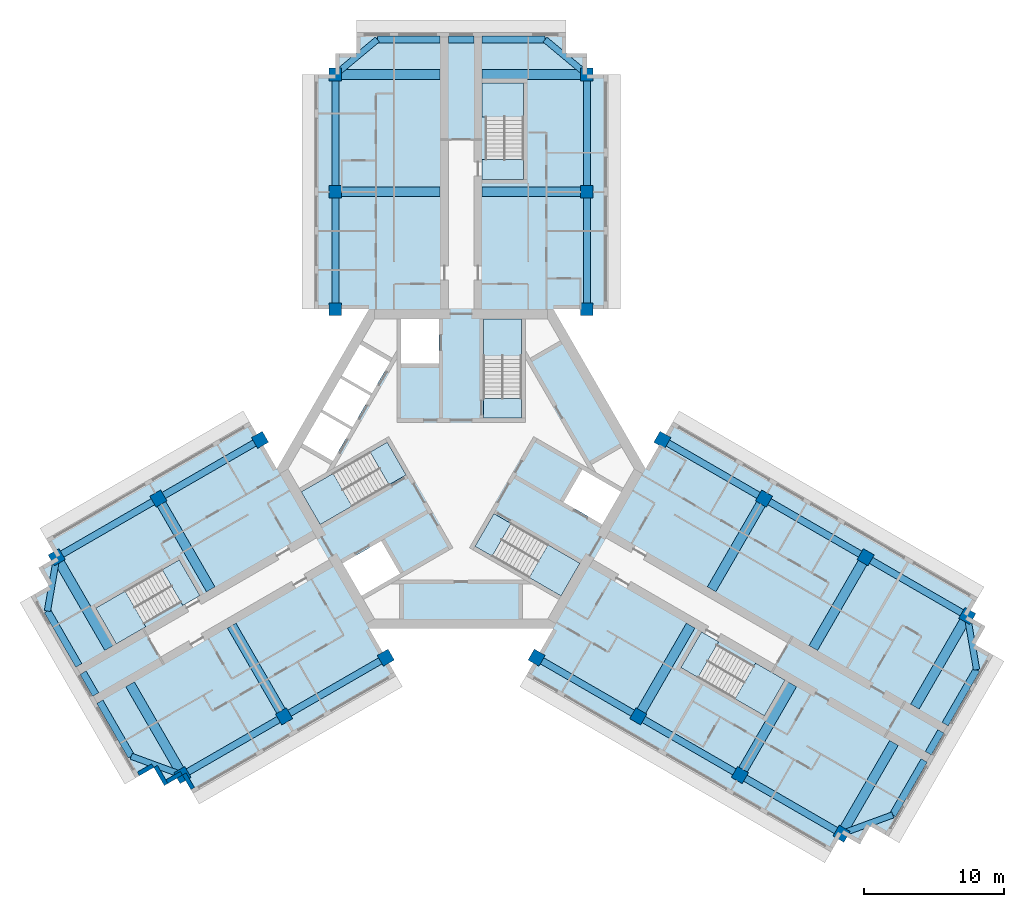
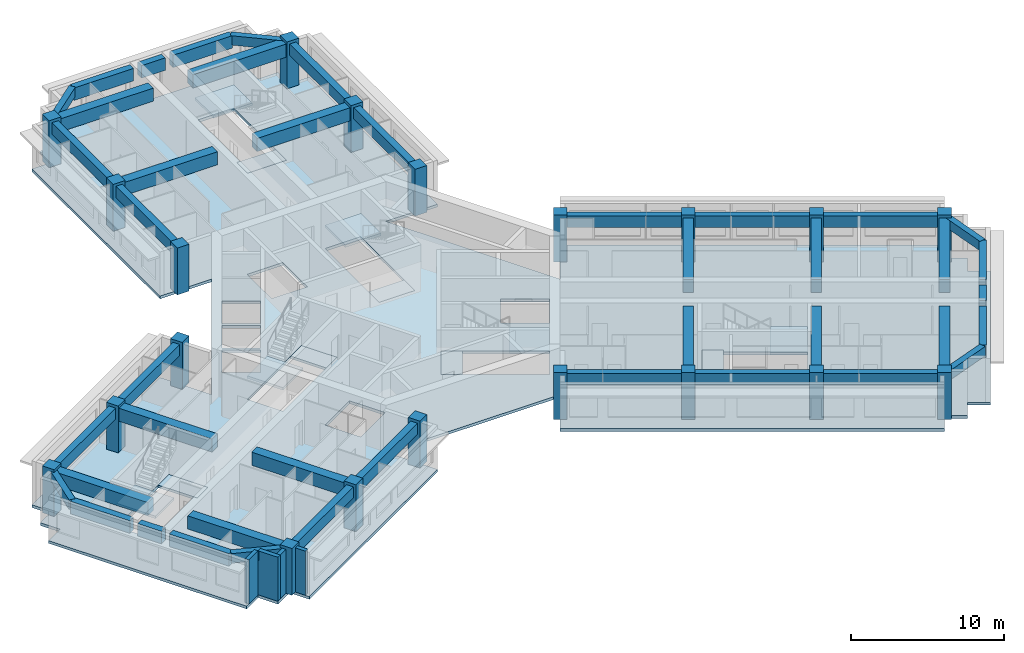
# One storey, part 1 of 10: 43 beams, 20 columns, 13 slabs, 4 walls, 6 elements without a shape of their own.
"""IFC4 building model written with IfcOpenShell, lengths in metres."""

from ifc_helpers import new_model, si_unit, direction, frame, frame_2d, origin, origin_2d, place, context, subcontext, project, spatial, polyline, rectangle, outline, extrude, material, layer, layer_set, material_profile, profile_set, type_object, element, aggregate, save


model = new_model("IFC4")

# Units and contexts
model_context = context("Model", 3, precision=1e-05, world=origin(), true_north=direction((0.0, 1.0)))
body_context = subcontext(model_context, "Body", "Model", "MODEL_VIEW")
ifc_project = project(units=[si_unit("LENGTHUNIT", "METRE"), si_unit("AREAUNIT", "SQUARE_METRE"), si_unit("VOLUMEUNIT", "CUBIC_METRE"), si_unit("PLANEANGLEUNIT", "RADIAN"), si_unit("MASSUNIT", "GRAM", prefix="KILO")], contexts=[model_context])

# Site, building, storey
site_placement = place(None, origin())
site = spatial("IfcSite", under=ifc_project, at=site_placement, CompositionType="ELEMENT")
building_placement = place(site_placement, origin())
building = spatial("IfcBuilding", under=site, at=building_placement, Name="Impinga Residences", CompositionType="ELEMENT")
storey_placement = place(building_placement, frame((0.0, 0.0, 233.5)))
storey = spatial("IfcBuildingStorey", under=building, at=storey_placement, Name="L58", CompositionType="ELEMENT", Elevation=233.5)

# Columns
ifc_material_1 = material(Name="Concrete C60/75", Category="concrete")
ifc_material_profile_1 = material_profile(ifc_material_1, rectangle(XDim=0.89990234375, YDim=0.89990234375, at=origin_2d()), Name="RC 900x900")
ifc_profile_set_1 = profile_set([ifc_material_profile_1], Name="Concrete C60/75")
column_type = type_object("IfcColumnType", Name="C4 900x900 column", PredefinedType="COLUMN", material=ifc_profile_set_1)
for number, where, z_axis, x_axis, name in (
    (1, (-9.0, 11.431640625, 0.0), (0.0, 0.0, 1.0), (1.0, 0.0, 0.0), "Column C4 N1/NA L58"),
    (2, (9.0, 11.431640625, 0.0), (0.0, 0.0, 1.0), (1.0, 0.0, 0.0), "Column C4 N1/NF L58"),
    (3, (-9.0, 19.83154296875, 0.0), (0.0, 0.0, 1.0), (1.0, 0.0, 0.0), "Column C4 N2/NA L58"),
    (4, (9.0, 19.83154296875, 0.0), (0.0, 0.0, 1.0), (1.0, 0.0, 0.0), "Column C4 N2/NF L58"),
    (5, (-9.0, 28.2314453125, 0.0), (0.0, 0.0, 1.0), (1.0, 0.0, 0.0), "Column C4 N3/NA L58"),
    (6, (9.0, 28.2314453125, 0.0), (0.0, 0.0, 1.0), (1.0, 0.0, 0.0), "Column C4 N3/NF L58"),
    (7, (-5.39990234375, -13.510009765625, 0.0), (0.0, 0.0, 1.0), (-0.5, 0.866025403784, 0.0), "Column C4 W1/WA L58"),
    (8, (-14.39990234375, 2.078369140625, 0.0), (0.0, 0.0, 1.0), (-0.5, 0.866025403784, 0.0), "Column C4 W1/WF L58"),
    (9, (-12.674560546875, -17.7099609375, 0.0), (0.0, 0.0, 1.0), (-0.5, 0.866025403784, 0.0), "Column C4 W2/WA L58"),
    (10, (-21.674560546875, -2.12158203125, 0.0), (0.0, 0.0, 1.0), (-0.5, 0.866025403784, 0.0), "Column C4 W2/WF L58"),
    (11, (-19.94921875, -21.909912109375, 0.0), (0.0, 0.0, 1.0), (-0.5, 0.866025403784, 0.0), "Column C4 W3/WA L58"),
    (12, (-28.94921875, -6.321533203125, 0.0), (0.0, 0.0, 1.0), (-0.5, 0.866025403784, 0.0), "Column C4 W3/WF L58"),
    (13, (14.39990234375, 2.078369140625, 0.0), (0.0, 0.0, 1.0), (-0.5, -0.866025403784, 0.0), "Column C4 E1/EA L58"),
    (14, (5.39990234375, -13.510009765625, 0.0), (0.0, 0.0, 1.0), (-0.5, -0.866025403784, 0.0), "Column C4 E1/EF L58"),
    (15, (21.674560546875, -2.12158203125, 0.0), (0.0, 0.0, 1.0), (-0.5, -0.866025403784, 0.0), "Column C4 E2/EA L58"),
    (16, (12.674560546875, -17.7099609375, 0.0), (0.0, 0.0, 1.0), (-0.5, -0.866025403784, 0.0), "Column C4 E2/EF L58"),
    (17, (28.94921875, -6.321533203125, 0.0), (0.0, 0.0, 1.0), (-0.5, -0.866025403784, 0.0), "Column C4 E3/EA L58"),
    (18, (19.94921875, -21.909912109375, 0.0), (0.0, 0.0, 1.0), (-0.5, -0.866025403784, 0.0), "Column C4 E3/EF L58"),
    (19, (36.223876953125, -10.521484375, 0.0), (0.0, 0.0, 1.0), (-0.5, -0.866025403784, 0.0), "Column C4 E4/EA L58"),
    (20, (27.223876953125, -26.110107421875, 0.0), (0.0, 0.0, 1.0), (-0.5, -0.866025403784, 0.0), "Column C4 E4/EF L58"),
):
    element("IfcColumn", number, at=place(storey_placement, frame(where, z_axis=z_axis, x_axis=x_axis)), inside=storey, type_object=column_type, Name=name, PredefinedType="COLUMN", context=body_context, shape_type="SweptSolid", body=[
        extrude(rectangle(XDim=0.89990234375, YDim=0.89990234375, at=origin_2d()), origin(), (0.0, 0.0, 1.0), 3.75),
    ])

# Beams
ifc_material_profile_2 = material_profile(ifc_material_1, rectangle(XDim=0.449951171875, YDim=0.75, at=origin_2d()), Name="RC 450x750")
ifc_profile_set_2 = profile_set([ifc_material_profile_2], Name="Concrete C60/75")
beam_type_1 = type_object("IfcBeamType", Name="CB1 450x750 wing end cantilever beam", PredefinedType="BEAM", material=ifc_profile_set_2)
for number, where, z_axis, x_axis, name in (
    (21, (-9.0, 28.2314453125, 3.155029296875), (0.768221279597, 0.640184399664, 0.0), (-0.640184399664, 0.768221279597, 0.0), "Beam CB1 NB N3-NX level L59"),
    (22, (9.0, 28.2314453125, 3.155029296875), (-0.768221279597, 0.640184399664, 0.0), (-0.640184399664, -0.768221279597, 0.0), "Beam CB1 NE N3-NX level L59"),
    (23, (-19.94921875, -21.909912109375, 3.155029296875), (-0.93854043338, 0.345169313396, 0.0), (-0.345169313396, -0.93854043338, 0.0), "Beam CB1 WB W3-WX level L59"),
):
    element("IfcBeam", number, at=place(storey_placement, frame(where, z_axis=z_axis, x_axis=x_axis)), inside=storey, type_object=beam_type_1, Name=name, PredefinedType="BEAM", context=body_context, shape_type="SweptSolid", body=[
        extrude(rectangle(XDim=0.449951171875, YDim=0.75, at=origin_2d()), origin(), (0.0, 0.0, 1.0), 3.905029296875),
    ])
for number, where, z_axis, x_axis, name in (
    (24, (-28.94921875, -6.321533203125, 3.155029296875), (-0.170296298948, -0.985392901621, 0.0), (0.985392901621, -0.170296298948, 0.0), "Beam CB1 WE W3-WX level L59"),
    (25, (36.223876953125, -10.521484375, 3.155029296875), (0.170296298948, -0.985392901621, 0.0), (0.985392901621, 0.170296298948, 0.0), "Beam CB1 EB E4-EX level L59"),
):
    element("IfcBeam", number, at=place(storey_placement, frame(where, z_axis=z_axis, x_axis=x_axis)), inside=storey, type_object=beam_type_1, Name=name, PredefinedType="BEAM", context=body_context, shape_type="SweptSolid", body=[
        extrude(rectangle(XDim=0.449951171875, YDim=0.75, at=origin_2d()), origin(), (0.0, 0.0, 1.0), 3.9052734375),
    ])
beam_1_placement = place(storey_placement, frame((27.223876953125, -26.110107421875, 3.155029296875), z_axis=(0.938520178725, 0.345224382289, 0.0), x_axis=(-0.345224382289, 0.938520178725, 0.0)))
element("IfcBeam", 26, at=beam_1_placement, inside=storey, type_object=beam_type_1, Name="Beam CB1 EE E4-EX level L59", PredefinedType="BEAM", context=body_context, shape_type="SweptSolid", body=[
    extrude(rectangle(XDim=0.449951171875, YDim=0.75, at=origin_2d()), origin(), (0.0, 0.0, 1.0), 3.905029296875),
])
ifc_material_profile_3 = material_profile(ifc_material_1, rectangle(XDim=0.699951171875, YDim=1.050048828125, at=origin_2d()), Name="RC 700x1050")
ifc_profile_set_3 = profile_set([ifc_material_profile_3], Name="Concrete C60/75")
beam_type_2 = type_object("IfcBeamType", Name="CG1 700x1050 cross girder on a wing bay line", PredefinedType="BEAM", material=ifc_profile_set_3)
for number, where, z_axis, x_axis, name in (
    (27, (-1.5, 19.83154296875, 3.0048828125), (-1.0, 0.0, 0.0), (0.0, -1.0, 0.0), "Beam CG1 N2 NC/NA level L59"),
    (28, (-1.5, 28.2314453125, 3.0048828125), (-1.0, 0.0, 0.0), (0.0, -1.0, 0.0), "Beam CG1 N3 NC/NA level L59"),
    (29, (1.5, 19.83154296875, 3.0048828125), (1.0, 0.0, 0.0), (0.0, 1.0, 0.0), "Beam CG1 N2 NC/NF level L59"),
    (30, (1.5, 28.2314453125, 3.0048828125), (1.0, 0.0, 0.0), (0.0, 1.0, 0.0), "Beam CG1 N3 NC/NF level L59"),
    (31, (-16.424560546875, -11.21484375, 3.0048828125), (0.500004234368, -0.866022959057, 0.0), (0.866022959057, 0.500004234368, 0.0), "Beam CG1 W2 WC/WA level L59"),
    (32, (-23.69921875, -15.414794921875, 3.0048828125), (0.500004234368, -0.866022959057, 0.0), (0.866022959057, 0.500004234368, 0.0), "Beam CG1 W3 WC/WA level L59"),
    (33, (-17.924560546875, -8.61669921875, 3.0048828125), (-0.500004234368, 0.866022959057, 0.0), (-0.866022959057, -0.500004234368, 0.0), "Beam CG1 W2 WC/WF level L59"),
    (34, (-25.19921875, -12.816650390625, 3.0048828125), (-0.500004234368, 0.866022959057, 0.0), (-0.866022959057, -0.500004234368, 0.0), "Beam CG1 W3 WC/WF level L59"),
    (35, (17.924560546875, -8.61669921875, 3.0048828125), (0.500004234368, 0.866022959057, 0.0), (-0.866022959057, 0.500004234368, 0.0), "Beam CG1 E2 EC/EA level L59"),
    (36, (25.19921875, -12.816650390625, 3.0048828125), (0.500004234368, 0.866022959057, 0.0), (-0.866022959057, 0.500004234368, 0.0), "Beam CG1 E3 EC/EA level L59"),
):
    element("IfcBeam", number, at=place(storey_placement, frame(where, z_axis=z_axis, x_axis=x_axis)), inside=storey, type_object=beam_type_2, Name=name, PredefinedType="BEAM", context=body_context, shape_type="SweptSolid", body=[
        extrude(rectangle(XDim=0.699951171875, YDim=1.050048828125, at=origin_2d()), origin(), (0.0, 0.0, 1.0), 7.5),
    ])
beam_2_placement = place(storey_placement, frame((32.473876953125, -17.016845703125, 3.0048828125), z_axis=(0.499990139034, 0.866031096941, 0.0), x_axis=(-0.866031096941, 0.499990139034, 0.0)))
element("IfcBeam", 37, at=beam_2_placement, inside=storey, type_object=beam_type_2, Name="Beam CG1 E4 EC/EA level L59", PredefinedType="BEAM", context=body_context, shape_type="SweptSolid", body=[
    extrude(rectangle(XDim=0.699951171875, YDim=1.050048828125, at=origin_2d()), origin(), (0.0, 0.0, 1.0), 7.500244140625),
])
for number, where, z_axis, x_axis, name in (
    (38, (16.424560546875, -11.21484375, 3.0048828125), (-0.500004234368, -0.866022959057, 0.0), (0.866022959057, -0.500004234368, 0.0), "Beam CG1 E2 EC/EF level L59"),
    (39, (23.69921875, -15.414794921875, 3.0048828125), (-0.500004234368, -0.866022959057, 0.0), (0.866022959057, -0.500004234368, 0.0), "Beam CG1 E3 EC/EF level L59"),
):
    element("IfcBeam", number, at=place(storey_placement, frame(where, z_axis=z_axis, x_axis=x_axis)), inside=storey, type_object=beam_type_2, Name=name, PredefinedType="BEAM", context=body_context, shape_type="SweptSolid", body=[
        extrude(rectangle(XDim=0.699951171875, YDim=1.050048828125, at=origin_2d()), origin(), (0.0, 0.0, 1.0), 7.5),
    ])
beam_3_placement = place(storey_placement, frame((30.973876953125, -19.61474609375, 3.0048828125), z_axis=(-0.499990139034, -0.866031096941, 0.0), x_axis=(0.866031096941, -0.499990139034, 0.0)))
element("IfcBeam", 40, at=beam_3_placement, inside=storey, type_object=beam_type_2, Name="Beam CG1 E4 EC/EF level L59", PredefinedType="BEAM", context=body_context, shape_type="SweptSolid", body=[
    extrude(rectangle(XDim=0.699951171875, YDim=1.050048828125, at=origin_2d()), origin(), (0.0, 0.0, 1.0), 7.500244140625),
])
ifc_material_profile_4 = material_profile(ifc_material_1, rectangle(XDim=0.5, YDim=1.0, at=origin_2d()), Name="RC 500x1000")
ifc_profile_set_4 = profile_set([ifc_material_profile_4], Name="Concrete C60/75")
beam_type_3 = type_object("IfcBeamType", Name="EB1 500x1000 wing end beam", PredefinedType="BEAM", material=ifc_profile_set_4)
beam_4_placement = place(storey_placement, frame((-6.0, 30.7314453125, 3.030029296875), z_axis=(1.0, 0.0, 0.0), x_axis=(0.0, 1.0, 0.0)))
element("IfcBeam", 41, at=beam_4_placement, inside=storey, type_object=beam_type_3, Name="Beam EB1 NX2 level L59", PredefinedType="BEAM", context=body_context, shape_type="SweptSolid", body=[
    extrude(rectangle(XDim=0.5, YDim=1.0, at=origin_2d()), origin(), (0.0, 0.0, 1.0), 4.5),
])
beam_5_placement = place(storey_placement, frame((-0.89990234375, 30.7314453125, 3.030029296875), z_axis=(1.0, 0.0, 0.0), x_axis=(0.0, 1.0, 0.0)))
element("IfcBeam", 42, at=beam_5_placement, inside=storey, type_object=beam_type_3, Name="Beam EB1 NX2 level L59", PredefinedType="BEAM", context=body_context, shape_type="SweptSolid", body=[
    extrude(rectangle(XDim=0.5, YDim=1.0, at=origin_2d()), origin(), (0.0, 0.0, 1.0), 1.7998046875),
])
for number, where, z_axis, x_axis, name in (
    (43, (1.5, 30.7314453125, 3.030029296875), (1.0, 0.0, 0.0), (0.0, 1.0, 0.0), "Beam EB1 NX2 level L59"),
    (44, (-23.6142578125, -20.56201171875, 3.030029296875), (-0.499990139034, 0.866031096941, 0.0), (-0.866031096941, -0.499990139034, 0.0), "Beam EB1 WX2 level L59"),
):
    element("IfcBeam", number, at=place(storey_placement, frame(where, z_axis=z_axis, x_axis=x_axis)), inside=storey, type_object=beam_type_3, Name=name, PredefinedType="BEAM", context=body_context, shape_type="SweptSolid", body=[
        extrude(rectangle(XDim=0.5, YDim=1.0, at=origin_2d()), origin(), (0.0, 0.0, 1.0), 4.5),
    ])
beam_6_placement = place(storey_placement, frame((-26.164306640625, -16.145263671875, 3.030029296875), z_axis=(-0.499961193289, 0.866047807691, 0.0), x_axis=(-0.866047807691, -0.499961193289, 0.0)))
element("IfcBeam", 45, at=beam_6_placement, inside=storey, type_object=beam_type_3, Name="Beam EB1 WX2 level L59", PredefinedType="BEAM", context=body_context, shape_type="SweptSolid", body=[
    extrude(rectangle(XDim=0.5, YDim=1.0, at=origin_2d()), origin(), (0.0, 0.0, 1.0), 1.800048828125),
])
beam_7_placement = place(storey_placement, frame((-27.3642578125, -14.066650390625, 3.030029296875), z_axis=(-0.500013631625, 0.866017533419, 0.0), x_axis=(-0.866017533419, -0.500013631625, 0.0)))
element("IfcBeam", 46, at=beam_7_placement, inside=storey, type_object=beam_type_3, Name="Beam EB1 WX2 level L59", PredefinedType="BEAM", context=body_context, shape_type="SweptSolid", body=[
    extrude(rectangle(XDim=0.5, YDim=1.0, at=origin_2d()), origin(), (0.0, 0.0, 1.0), 4.499755859375),
])
beam_8_placement = place(storey_placement, frame((36.888916015625, -14.36962890625, 3.030029296875), z_axis=(-0.499990139034, -0.866031096941, 0.0), x_axis=(0.866031096941, -0.499990139034, 0.0)))
element("IfcBeam", 47, at=beam_8_placement, inside=storey, type_object=beam_type_3, Name="Beam EB1 EX3 level L59", PredefinedType="BEAM", context=body_context, shape_type="SweptSolid", body=[
    extrude(rectangle(XDim=0.5, YDim=1.0, at=origin_2d()), origin(), (0.0, 0.0, 1.0), 4.5),
])
beam_9_placement = place(storey_placement, frame((34.3388671875, -18.786376953125, 3.030029296875), z_axis=(-0.499961193289, -0.866047807691, 0.0), x_axis=(0.866047807691, -0.499961193289, 0.0)))
element("IfcBeam", 48, at=beam_9_placement, inside=storey, type_object=beam_type_3, Name="Beam EB1 EX3 level L59", PredefinedType="BEAM", context=body_context, shape_type="SweptSolid", body=[
    extrude(rectangle(XDim=0.5, YDim=1.0, at=origin_2d()), origin(), (0.0, 0.0, 1.0), 1.800048828125),
])
beam_10_placement = place(storey_placement, frame((33.138916015625, -20.86474609375, 3.030029296875), z_axis=(-0.499990139034, -0.866031096941, 0.0), x_axis=(0.866031096941, -0.499990139034, 0.0)))
element("IfcBeam", 49, at=beam_10_placement, inside=storey, type_object=beam_type_3, Name="Beam EB1 EX3 level L59", PredefinedType="BEAM", context=body_context, shape_type="SweptSolid", body=[
    extrude(rectangle(XDim=0.5, YDim=1.0, at=origin_2d()), origin(), (0.0, 0.0, 1.0), 4.5),
])
ifc_material_profile_5 = material_profile(ifc_material_1, rectangle(XDim=0.5, YDim=0.89990234375, at=origin_2d()), Name="RC 500x900")
ifc_profile_set_5 = profile_set([ifc_material_profile_5], Name="Concrete C60/75")
beam_type_4 = type_object("IfcBeamType", Name="SB1 500x900 perimeter spandrel beam", PredefinedType="SPANDREL", material=ifc_profile_set_5)
for number, where, z_axis, x_axis, name in (
    (50, (-9.0, 11.431640625, 3.080078125), (0.0, 1.0, 0.0), (-1.0, 0.0, 0.0), "Beam SB1 NA N1-N2 level L59"),
    (51, (-9.0, 19.83154296875, 3.080078125), (0.0, 1.0, 0.0), (-1.0, 0.0, 0.0), "Beam SB1 NA N2-N3 level L59"),
    (52, (9.0, 11.431640625, 3.080078125), (0.0, 1.0, 0.0), (-1.0, 0.0, 0.0), "Beam SB1 NF N1-N2 level L59"),
    (53, (9.0, 19.83154296875, 3.080078125), (0.0, 1.0, 0.0), (-1.0, 0.0, 0.0), "Beam SB1 NF N2-N3 level L59"),
    (54, (-5.39990234375, -13.510009765625, 3.080078125), (-0.86602925447, -0.499993330357, 0.0), (0.499993330357, -0.86602925447, 0.0), "Beam SB1 WA W1-W2 level L59"),
    (55, (-12.674560546875, -17.7099609375, 3.080078125), (-0.86602925447, -0.499993330357, 0.0), (0.499993330357, -0.86602925447, 0.0), "Beam SB1 WA W2-W3 level L59"),
    (56, (-14.39990234375, 2.078369140625, 3.080078125), (-0.86602925447, -0.499993330357, 0.0), (0.499993330357, -0.86602925447, 0.0), "Beam SB1 WF W1-W2 level L59"),
    (57, (-21.674560546875, -2.12158203125, 3.080078125), (-0.86602925447, -0.499993330357, 0.0), (0.499993330357, -0.86602925447, 0.0), "Beam SB1 WF W2-W3 level L59"),
    (58, (14.39990234375, 2.078369140625, 3.080078125), (0.86602925447, -0.499993330357, 0.0), (0.499993330357, 0.86602925447, 0.0), "Beam SB1 EA E1-E2 level L59"),
    (59, (21.674560546875, -2.12158203125, 3.080078125), (0.86602925447, -0.499993330357, 0.0), (0.499993330357, 0.86602925447, 0.0), "Beam SB1 EA E2-E3 level L59"),
    (60, (28.94921875, -6.321533203125, 3.080078125), (0.86602925447, -0.499993330357, 0.0), (0.499993330357, 0.86602925447, 0.0), "Beam SB1 EA E3-E4 level L59"),
    (61, (5.39990234375, -13.510009765625, 3.080078125), (0.86602925447, -0.499993330357, 0.0), (0.499993330357, 0.86602925447, 0.0), "Beam SB1 EF E1-E2 level L59"),
    (62, (12.674560546875, -17.7099609375, 3.080078125), (0.86602925447, -0.499993330357, 0.0), (0.499993330357, 0.86602925447, 0.0), "Beam SB1 EF E2-E3 level L59"),
):
    element("IfcBeam", number, at=place(storey_placement, frame(where, z_axis=z_axis, x_axis=x_axis)), inside=storey, type_object=beam_type_4, Name=name, PredefinedType="SPANDREL", context=body_context, shape_type="SweptSolid", body=[
        extrude(rectangle(XDim=0.5, YDim=0.89990234375, at=origin_2d()), origin(), (0.0, 0.0, 1.0), 8.39990234375),
    ])
beam_11_placement = place(storey_placement, frame((19.94921875, -21.909912109375, 3.080078125), z_axis=(0.866016669275, -0.500015128309, 0.0), x_axis=(0.500015128309, 0.866016669275, 0.0)))
element("IfcBeam", 63, at=beam_11_placement, inside=storey, type_object=beam_type_4, Name="Beam SB1 EF E3-E4 level L59", PredefinedType="SPANDREL", context=body_context, shape_type="SweptSolid", body=[
    extrude(rectangle(XDim=0.5, YDim=0.89990234375, at=origin_2d()), origin(), (0.0, 0.0, 1.0), 8.400146484375),
])

# Slab
ifc_layer_1 = layer(ifc_material_1, 0.219970703125)
ifc_layer_set_1 = layer_set([ifc_layer_1], Name="Concrete C60/75")
slab_type_1 = type_object("IfcSlabType", Name="FS1 tower floor slab 220", PredefinedType="FLOOR", material=ifc_layer_set_1)
slab_1_placement = place(storey_placement, frame((0.0, 0.0, -0.219970703125)))
element("IfcSlab", 64, at=slab_1_placement, inside=storey, type_object=slab_type_1, Name="Floor slab FS1 L58", PredefinedType="FLOOR", context=body_context, shape_type="SweptSolid", body=[
    extrude(outline(polyline([(36.223876953125, -10.521484375), (37.52294921875, -11.271484375), (36.77294921875, -12.570556640625), (38.072021484375, -13.320556640625), (30.572021484375, -26.31103515625), (29.27294921875, -25.56103515625), (28.52294921875, -26.860107421875), (27.223876953125, -26.110107421875), (26.473876953125, -27.408935546875), (4.64990234375, -14.80908203125), (9.900146484375, -5.7158203125), (6.60009765625, -11.431640625), (-6.60009765625, -11.431640625), (-9.900146484375, -5.7158203125), (-4.64990234375, -14.80908203125), (-19.19921875, -23.208984375), (-19.94921875, -21.909912109375), (-21.248291015625, -22.659912109375), (-21.998291015625, -21.36083984375), (-23.29736328125, -22.11083984375), (-30.79736328125, -9.12060546875), (-29.498291015625, -8.37060546875), (-30.248291015625, -7.071533203125), (-28.94921875, -6.321533203125), (-29.69921875, -5.0224609375), (-15.14990234375, 3.37744140625), (-13.199951171875, 0.0), (-6.60009765625, 11.431640625), (-10.5, 11.431640625), (-10.5, 28.2314453125), (-9.0, 28.2314453125), (-9.0, 29.7314453125), (-7.5, 29.7314453125), (-7.5, 31.2314453125), (7.5, 31.2314453125), (7.5, 29.7314453125), (9.0, 29.7314453125), (9.0, 28.2314453125), (10.5, 28.2314453125), (10.5, 11.431640625), (6.60009765625, 11.431640625), (13.199951171875, 0.0), (15.14990234375, 3.37744140625), (36.973876953125, -9.222412109375), (36.223876953125, -10.521484375)]), holes=[polyline([(-18.7041015625, -9.066650390625), (-18.8291015625, -8.850341796875), (-18.8291015625, -8.850341796875), (-20.178955078125, -6.511962890625), (-21.391357421875, -7.2119140625), (-21.391357421875, -7.2119140625), (-26.154541015625, -9.9619140625), (-24.8046875, -12.30029296875), (-20.04150390625, -9.55029296875), (-19.91650390625, -9.766845703125), (-18.7041015625, -9.066650390625)]), polyline([(-5.72119140625, -5.150634765625), (-8.493896484375, -6.75146484375), (-7.143798828125, -9.089599609375), (-4.37109375, -7.489013671875), (-5.72119140625, -5.150634765625)]), polyline([(-5.293701171875, 1.908935546875), (-11.44384765625, -1.641845703125), (-10.09375, -3.980224609375), (-3.943603515625, -0.429443359375), (-5.293701171875, 1.908935546875)]), polyline([(-7.878662109375, 2.816650390625), (-10.043701171875, 4.066650390625), (-11.34375, 1.81494140625), (-9.1787109375, 0.56494140625), (-7.878662109375, 2.816650390625)]), polyline([(-6.478759765625, 5.24169921875), (-8.643798828125, 6.49169921875), (-9.94384765625, 4.239990234375), (-7.77880859375, 2.989990234375), (-6.478759765625, 5.24169921875)]), polyline([(-6.378662109375, 5.414794921875), (-5.07861328125, 7.66650390625), (-7.243896484375, 8.91650390625), (-8.543701171875, 6.664794921875), (-6.378662109375, 5.414794921875)]), polyline([(-4.300048828125, 7.530029296875), (-1.60009765625, 7.530029296875), (-1.60009765625, 10.7314453125), (-4.300048828125, 10.7314453125), (-4.300048828125, 7.530029296875)]), polyline([(15.72900390625, -14.219482421875), (21.70458984375, -17.669677734375), (23.0546875, -15.331298828125), (18.29150390625, -12.581298828125), (18.41650390625, -12.36474609375), (17.2041015625, -11.664794921875), (15.72900390625, -14.219482421875)]), polyline([(0.99365234375, -5.538818359375), (7.143798828125, -9.089599609375), (8.493896484375, -6.75146484375), (2.34375, -3.20068359375), (0.99365234375, -5.538818359375)]), polyline([(7.3212890625, -2.37939453125), (10.09375, -3.980224609375), (11.44384765625, -1.641845703125), (8.671142578125, -0.041015625), (7.3212890625, -2.37939453125)]), polyline([(4.300048828125, 3.6298828125), (4.300048828125, 10.7314453125), (1.60009765625, 10.7314453125), (1.60009765625, 3.6298828125), (4.300048828125, 3.6298828125)]), polyline([(1.75, 22.131591796875), (1.5, 22.131591796875), (1.5, 20.7314453125), (1.75, 20.7314453125), (4.449951171875, 20.7314453125), (4.449951171875, 22.131591796875), (4.449951171875, 27.631591796875), (1.75, 27.631591796875), (1.75, 22.131591796875)])]), origin(), (0.0, 0.0, 1.0), 0.219970703125),
])

# Stair, slabs
ifc_material_2 = material(Name="Concrete C40/50", Category="concrete")
stair_type_1 = type_object("IfcStairType", Name="STR core stair 3750 storey, 24 risers", PredefinedType="HALF_TURN_STAIR", material=ifc_material_2)
stair_1_placement = place(storey_placement, origin())
stair_1 = element("IfcStair", 65, at=stair_1_placement, inside=storey, type_object=stair_type_1, Name="Stair ST1 L58", PredefinedType="HALF_TURN_STAIR")
ifc_layer_2 = layer(ifc_material_2, 0.199951171875)
ifc_layer_set_2 = layer_set([ifc_layer_2], Name="Concrete C40/50")
slab_type_2 = type_object("IfcSlabType", Name="LS1 stair landing 200", PredefinedType="LANDING", material=ifc_layer_set_2)
slab_2_placement = place(storey_placement, frame((0.0, 0.0, -0.199951171875)))
slab_2 = element("IfcSlab", 66, at=slab_2_placement, type_object=slab_type_2, Name="ST1 landing 1", PredefinedType="LANDING", context=body_context, shape_type="SweptSolid", body=[
    extrude(outline(polyline([(1.60009765625, 3.6298828125), (4.300048828125, 3.6298828125), (4.300048828125, 5.0400390625), (1.60009765625, 5.0400390625), (1.60009765625, 3.6298828125)])), origin(), (0.0, 0.0, 1.0), 0.199951171875),
])
slab_3_placement = place(storey_placement, frame((0.0, 0.0, 1.675048828125)))
slab_3 = element("IfcSlab", 67, at=slab_3_placement, type_object=slab_type_2, Name="ST1 landing 2", PredefinedType="LANDING", context=body_context, shape_type="SweptSolid", body=[
    extrude(outline(polyline([(1.60009765625, 8.10009765625), (4.300048828125, 8.10009765625), (4.300048828125, 10.7314453125), (1.60009765625, 10.7314453125), (1.60009765625, 8.10009765625)])), origin(), (0.0, 0.0, 1.0), 0.199951171875),
])
aggregate(stair_1, [slab_2, slab_3])

stair_2_placement = place(storey_placement, origin())
stair_2 = element("IfcStair", 68, at=stair_2_placement, inside=storey, type_object=stair_type_1, Name="Stair ST2 L58", PredefinedType="HALF_TURN_STAIR")
slab_4_placement = place(storey_placement, frame((0.0, 0.0, -0.199951171875)))
slab_4 = element("IfcSlab", 69, at=slab_4_placement, type_object=slab_type_2, Name="ST2 landing 1", PredefinedType="LANDING", context=body_context, shape_type="SweptSolid", body=[
    extrude(outline(polyline([(-3.943603515625, -0.429443359375), (-5.293701171875, 1.908935546875), (-6.5146484375, 1.203857421875), (-5.164794921875, -1.13427734375), (-3.943603515625, -0.429443359375)])), origin(), (0.0, 0.0, 1.0), 0.199951171875),
])
slab_5_placement = place(storey_placement, frame((0.0, 0.0, 1.675048828125)))
slab_5 = element("IfcSlab", 70, at=slab_5_placement, type_object=slab_type_2, Name="ST2 landing 2", PredefinedType="LANDING", context=body_context, shape_type="SweptSolid", body=[
    extrude(outline(polyline([(-7.814697265625, -2.664306640625), (-9.164794921875, -0.326171875), (-11.44384765625, -1.641845703125), (-10.09375, -3.980224609375), (-7.814697265625, -2.664306640625)])), origin(), (0.0, 0.0, 1.0), 0.199951171875),
])
aggregate(stair_2, [slab_4, slab_5])

stair_3_placement = place(storey_placement, origin())
stair_3 = element("IfcStair", 71, at=stair_3_placement, inside=storey, type_object=stair_type_1, Name="Stair ST3 L58", PredefinedType="HALF_TURN_STAIR")
slab_6_placement = place(storey_placement, frame((0.0, 0.0, -0.199951171875)))
slab_6 = element("IfcSlab", 72, at=slab_6_placement, type_object=slab_type_2, Name="ST3 landing 1", PredefinedType="LANDING", context=body_context, shape_type="SweptSolid", body=[
    extrude(outline(polyline([(2.34375, -3.20068359375), (0.99365234375, -5.538818359375), (2.21484375, -6.243896484375), (3.564697265625, -3.90576171875), (2.34375, -3.20068359375)])), origin(), (0.0, 0.0, 1.0), 0.199951171875),
])
slab_7_placement = place(storey_placement, frame((0.0, 0.0, 1.675048828125)))
slab_7 = element("IfcSlab", 73, at=slab_7_placement, type_object=slab_type_2, Name="ST3 landing 2", PredefinedType="LANDING", context=body_context, shape_type="SweptSolid", body=[
    extrude(outline(polyline([(6.21484375, -5.435546875), (4.86474609375, -7.77392578125), (7.143798828125, -9.089599609375), (8.493896484375, -6.75146484375), (6.21484375, -5.435546875)])), origin(), (0.0, 0.0, 1.0), 0.199951171875),
])
aggregate(stair_3, [slab_6, slab_7])

stair_type_2 = type_object("IfcStairType", Name="STR wing stair 3750 storey, 24 risers", PredefinedType="HALF_TURN_STAIR", material=ifc_material_2)
stair_4_placement = place(storey_placement, origin())
stair_4 = element("IfcStair", 74, at=stair_4_placement, inside=storey, type_object=stair_type_2, Name="Stair WS1 L58", PredefinedType="HALF_TURN_STAIR")
slab_8_placement = place(storey_placement, frame((0.0, 0.0, -0.199951171875)))
slab_8 = element("IfcSlab", 75, at=slab_8_placement, type_object=slab_type_2, Name="WS1 landing 1", PredefinedType="LANDING", context=body_context, shape_type="SweptSolid", body=[
    extrude(outline(polyline([(1.5, 20.7314453125), (4.449951171875, 20.7314453125), (4.449951171875, 22.1416015625), (1.5, 22.1416015625), (1.5, 20.7314453125)])), origin(), (0.0, 0.0, 1.0), 0.199951171875),
])
slab_9_placement = place(storey_placement, frame((0.0, 0.0, 1.675048828125)))
slab_9 = element("IfcSlab", 76, at=slab_9_placement, type_object=slab_type_2, Name="WS1 landing 2", PredefinedType="LANDING", context=body_context, shape_type="SweptSolid", body=[
    extrude(outline(polyline([(1.5, 25.201416015625), (4.449951171875, 25.201416015625), (4.449951171875, 27.631591796875), (1.5, 27.631591796875), (1.5, 25.201416015625)])), origin(), (0.0, 0.0, 1.0), 0.199951171875),
])
aggregate(stair_4, [slab_8, slab_9])

stair_5_placement = place(storey_placement, origin())
stair_5 = element("IfcStair", 77, at=stair_5_placement, inside=storey, type_object=stair_type_2, Name="Stair WS2 L58", PredefinedType="HALF_TURN_STAIR")
slab_10_placement = place(storey_placement, frame((0.0, 0.0, -0.199951171875)))
slab_10 = element("IfcSlab", 78, at=slab_10_placement, type_object=slab_type_2, Name="WS2 landing 1", PredefinedType="LANDING", context=body_context, shape_type="SweptSolid", body=[
    extrude(outline(polyline([(-18.7041015625, -9.066650390625), (-20.178955078125, -6.511962890625), (-21.400146484375, -7.217041015625), (-19.925048828125, -9.771728515625), (-18.7041015625, -9.066650390625)])), origin(), (0.0, 0.0, 1.0), 0.199951171875),
])
slab_11_placement = place(storey_placement, frame((0.0, 0.0, 1.675048828125)))
slab_11 = element("IfcSlab", 79, at=slab_11_placement, type_object=slab_type_2, Name="WS2 landing 2", PredefinedType="LANDING", context=body_context, shape_type="SweptSolid", body=[
    extrude(outline(polyline([(-22.5751953125, -11.3017578125), (-24.050048828125, -8.7470703125), (-26.154541015625, -9.9619140625), (-24.6796875, -12.516845703125), (-22.5751953125, -11.3017578125)])), origin(), (0.0, 0.0, 1.0), 0.199951171875),
])
aggregate(stair_5, [slab_10, slab_11])

stair_6_placement = place(storey_placement, origin())
stair_6 = element("IfcStair", 80, at=stair_6_placement, inside=storey, type_object=stair_type_2, Name="Stair WS3 L58", PredefinedType="HALF_TURN_STAIR")
slab_12_placement = place(storey_placement, frame((0.0, 0.0, -0.199951171875)))
slab_12 = element("IfcSlab", 81, at=slab_12_placement, type_object=slab_type_2, Name="WS3 landing 1", PredefinedType="LANDING", context=body_context, shape_type="SweptSolid", body=[
    extrude(outline(polyline([(17.2041015625, -11.664794921875), (15.72900390625, -14.219482421875), (16.9501953125, -14.924560546875), (18.425048828125, -12.369873046875), (17.2041015625, -11.664794921875)])), origin(), (0.0, 0.0, 1.0), 0.199951171875),
])
slab_13_placement = place(storey_placement, frame((0.0, 0.0, 1.675048828125)))
slab_13 = element("IfcSlab", 82, at=slab_13_placement, type_object=slab_type_2, Name="WS3 landing 2", PredefinedType="LANDING", context=body_context, shape_type="SweptSolid", body=[
    extrude(outline(polyline([(21.0751953125, -13.89990234375), (19.60009765625, -16.45458984375), (21.70458984375, -17.669677734375), (23.1796875, -15.11474609375), (21.0751953125, -13.89990234375)])), origin(), (0.0, 0.0, 1.0), 0.199951171875),
])
aggregate(stair_6, [slab_12, slab_13])

# Walls
ifc_material_3 = material(Name="Terracotta rainscreen on blockwork", Category="masonry")
ifc_layer_3 = layer(ifc_material_3, 0.300048828125)
ifc_layer_set_3 = layer_set([ifc_layer_3], Name="EW1 external wall, terracotta rainscreen on blockwork 300")
wall_type = type_object("IfcWallType", Name="EW1 external wall, terracotta rainscreen on blockwork 300", PredefinedType="SOLIDWALL", material=ifc_layer_set_3)
wall_1_placement = place(storey_placement, frame((-19.21923828125, -22.874267578125, 0.0), z_axis=(0.0, 0.0, 1.0), x_axis=(-0.500033551112, 0.866006032174, 0.0)))
element("IfcWall", 83, at=wall_1_placement, inside=storey, type_object=wall_type, Name="External wall EW1 L58", PredefinedType="SOLIDWALL", context=body_context, shape_type="SweptSolid", body=[
    extrude(rectangle(XDim=1.2001953125, YDim=0.300048828125, at=frame_2d((0.60009765625, 0.0))), origin(), (0.0, 0.0, 1.0), 3.530029296875),
])
wall_2_placement = place(storey_placement, frame((-20.028564453125, -21.782470703125, 0.0), z_axis=(0.0, 0.0, 1.0), x_axis=(-0.865971243484, -0.500093796661, 0.0)))
element("IfcWall", 84, at=wall_2_placement, inside=storey, type_object=wall_type, Name="External wall EW1 L58", PredefinedType="SOLIDWALL", context=body_context, shape_type="SweptSolid", body=[
    extrude(rectangle(XDim=1.195068359375, YDim=0.300048828125, at=frame_2d((0.59765625, 0.0))), origin(), (0.0, 0.0, 1.0), 3.530029296875),
])
wall_3_placement = place(storey_placement, frame((-21.118408203125, -22.5849609375, 0.0), z_axis=(0.0, 0.0, 1.0), x_axis=(-0.499990139034, 0.866031096941, 0.0)))
element("IfcWall", 85, at=wall_3_placement, inside=storey, type_object=wall_type, Name="External wall EW1 L58", PredefinedType="SOLIDWALL", context=body_context, shape_type="SweptSolid", body=[
    extrude(rectangle(XDim=1.5, YDim=0.300048828125, at=frame_2d((0.75, 0.0))), origin(), (0.0, 0.0, 1.0), 3.530029296875),
])
wall_4_placement = place(storey_placement, frame((-22.07763671875, -21.233642578125, 0.0), z_axis=(0.0, 0.0, 1.0), x_axis=(-0.866059708757, -0.499940577336, 0.0)))
element("IfcWall", 86, at=wall_4_placement, inside=storey, type_object=wall_type, Name="External wall EW1 L58", PredefinedType="SOLIDWALL", context=body_context, shape_type="SweptSolid", body=[
    extrude(rectangle(XDim=1.195068359375, YDim=0.300048828125, at=frame_2d((0.59765625, 0.0))), origin(), (0.0, 0.0, 1.0), 3.530029296875),
])

save(model, "model.ifc")
